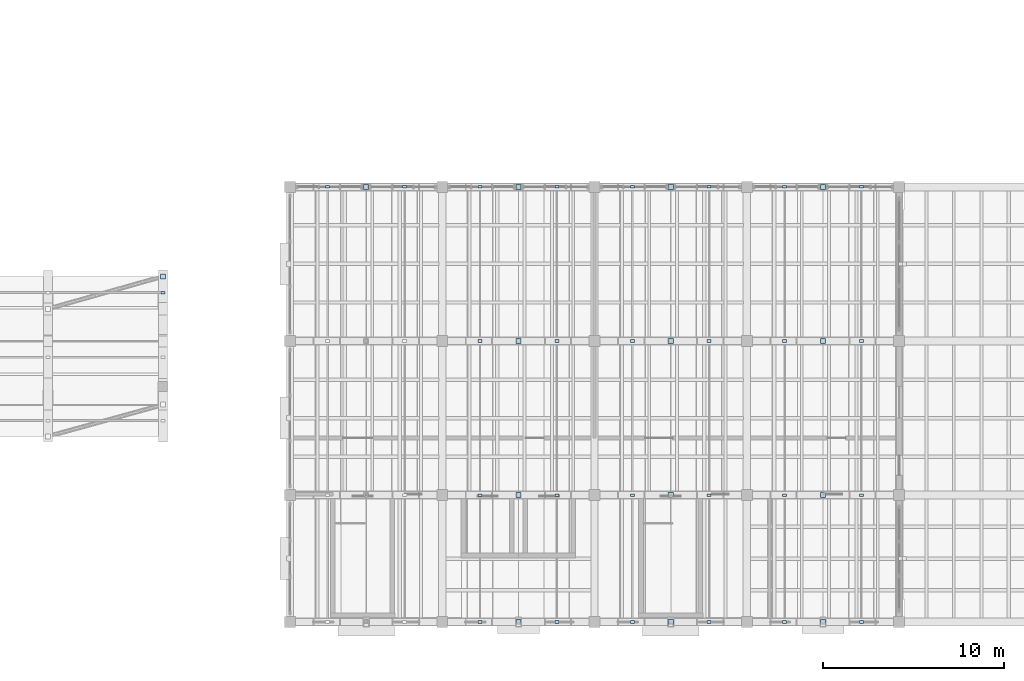
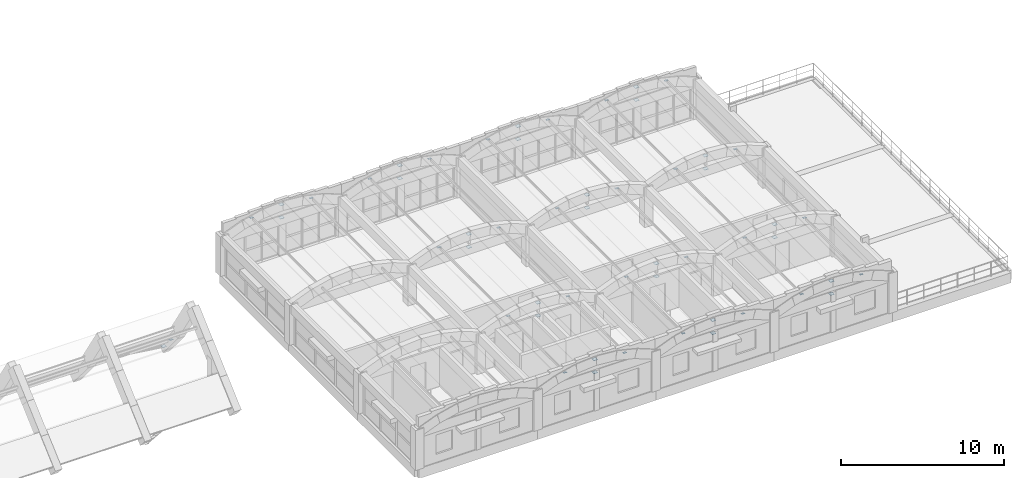
# One storey, part 26 of 40: 54 plates.
"""IFC4 building model written with IfcOpenShell, lengths in metres."""

import ifcopenshell
import ifcopenshell.guid

model = None  # the IFC model being written
_history = None  # IfcOwnerHistory: only IFC2X3 demands one
_inside = {}  # id of a spatial element -> (the spatial element, [elements in it])
_under = {}  # id of a project, library or spatial element -> (it, [spatial elements below it])
_declared = {}  # id of a project -> (the project, [libraries it declares])
_typed = {}  # id of a type object -> (the type object, [elements of that type])
_made_of = {}  # id of a material, layer set ... -> (it, [elements and type objects made of it])


def new_model(schema):
    """Start an empty IFC model of exactly this schema.

    Asked for "IFC4X3", IfcOpenShell would pick the latest addendum, in which some entities
    have other attributes; the version numbers below select the first issue.
    IFC2X3 requires an IfcOwnerHistory on every rooted entity: one is made here for all.
    """
    global model, _history
    if schema == "IFC4X3":
        model = ifcopenshell.file(schema_version=(4, 3, 0, 0))
    else:
        model = ifcopenshell.file(schema=schema)
    _inside.clear()
    _under.clear()
    _declared.clear()
    _typed.clear()
    _made_of.clear()
    _history = None
    if model.schema == "IFC2X3":
        org = make("IfcOrganization", Name="unknown")
        user = make(
            "IfcPersonAndOrganization",
            ThePerson=make("IfcPerson", FamilyName="unknown"),
            TheOrganization=org,
        )
        app = make(
            "IfcApplication",
            ApplicationDeveloper=org,
            Version="unknown",
            ApplicationFullName="unknown",
            ApplicationIdentifier="unknown",
        )
        _history = make(
            "IfcOwnerHistory",
            OwningUser=user,
            OwningApplication=app,
            ChangeAction="ADDED",
            CreationDate=0,
        )
    return model


def make(cls, **values):
    """One entity of the class cls with the attributes given. An attribute that is None is left unset."""
    return model.create_entity(
        cls, **{name: value for name, value in values.items() if value is not None}
    )


def rooted(cls, **values):
    """An entity with a GlobalId (a new one), such as an element, a storey or a relation."""
    return make(cls, GlobalId=ifcopenshell.guid.new(), OwnerHistory=_history, **values)


def si_unit(unit_type, name, prefix=None):
    """IfcSIUnit, for example si_unit("LENGTHUNIT", "METRE", prefix="MILLI")."""
    return make("IfcSIUnit", UnitType=unit_type, Prefix=prefix, Name=name)


def assignment(units):
    """IfcUnitAssignment: the units of a project."""
    return None if units is None else make("IfcUnitAssignment", Units=units)


def point(xyz):
    """IfcCartesianPoint."""
    return None if xyz is None else make("IfcCartesianPoint", Coordinates=xyz)


def direction(xyz):
    """IfcDirection."""
    return None if xyz is None else make("IfcDirection", DirectionRatios=xyz)


def frame(location, z_axis=None, x_axis=None):
    """IfcAxis2Placement3D, a coordinate frame: its origin and axes. An axis left out is left unset."""
    return make(
        "IfcAxis2Placement3D",
        Location=point(location),
        Axis=direction(z_axis),
        RefDirection=direction(x_axis),
    )


def frame_2d(location, x_axis=None):
    """IfcAxis2Placement2D, a coordinate frame in the plane: its origin and x axis."""
    return make(
        "IfcAxis2Placement2D", Location=point(location), RefDirection=direction(x_axis)
    )


def origin():
    """The frame at (0, 0, 0) with its axes left unset."""
    return frame((0.0, 0.0, 0.0))


def origin_2d():
    """The frame at (0, 0) in the plane with its x axis left unset."""
    return frame_2d((0.0, 0.0))


def place(relative_to, where):
    """IfcLocalPlacement: puts the frame where relative to a parent placement (None: the world)."""
    return make(
        "IfcLocalPlacement", PlacementRelTo=relative_to, RelativePlacement=where
    )


def context(
    kind, dimensions, precision=None, world=None, true_north=None, identifier=None
):
    """IfcGeometricRepresentationContext, for example the 3D "Model" context."""
    return make(
        "IfcGeometricRepresentationContext",
        ContextIdentifier=identifier,
        ContextType=kind,
        CoordinateSpaceDimension=dimensions,
        Precision=precision,
        WorldCoordinateSystem=world,
        TrueNorth=true_north,
    )


def subcontext(parent, identifier, kind, view, scale=None):
    """IfcGeometricRepresentationSubContext, for example "Body" below "Model"."""
    return make(
        "IfcGeometricRepresentationSubContext",
        ContextIdentifier=identifier,
        ContextType=kind,
        ParentContext=parent,
        TargetScale=scale,
        TargetView=view,
    )


def project(units=None, contexts=None):
    """IfcProject with its units and contexts."""
    return rooted(
        "IfcProject",
        Name="project",
        RepresentationContexts=contexts,
        UnitsInContext=assignment(units),
    )


def spatial(cls, under=None, at=None, **own):
    """A site, building, storey or space (cls), placed at a placement, below another one or the project."""
    s = rooted(cls, ObjectPlacement=at, **own)
    if under is not None:
        _under.setdefault(under.id(), (under, []))[1].append(s)
    return s


def profile(cls, at=None, kind="AREA", **sizes):
    """A parametric profile (cls). Its sizes go by their IFC names, for example OverallWidth=200.0."""
    return make(cls, ProfileType=kind, Position=at, **sizes)


def rectangle(**sizes):
    """IfcRectangleProfileDef."""
    return profile("IfcRectangleProfileDef", **sizes)


def extrude(swept, where, along, depth):
    """IfcExtrudedAreaSolid: the profile swept, set in the frame where, extruded along a direction by depth."""
    return make(
        "IfcExtrudedAreaSolid",
        SweptArea=swept,
        Position=where,
        ExtrudedDirection=direction(along),
        Depth=depth,
    )


def shape(context_of_items, identifier, shape_type, items):
    """IfcShapeRepresentation: the items that make up one representation, for example the "Body"."""
    return make(
        "IfcShapeRepresentation",
        ContextOfItems=context_of_items,
        RepresentationIdentifier=identifier,
        RepresentationType=shape_type,
        Items=items,
    )


def material(Name=None, Category=None):
    """IfcMaterial."""
    return make("IfcMaterial", Name=Name, Category=Category)


def layer(
    of_material, thickness, ventilated=None, Name=None, Category=None, Priority=None
):
    """IfcMaterialLayer: one layer of a wall or slab, of a material (None: an air gap)."""
    return make(
        "IfcMaterialLayer",
        Material=of_material,
        LayerThickness=thickness,
        IsVentilated=ventilated,
        Name=Name,
        Category=Category,
        Priority=Priority,
    )


def layer_set(layers, Name=None):
    """IfcMaterialLayerSet."""
    return make("IfcMaterialLayerSet", MaterialLayers=layers, LayerSetName=Name)


def made_of(thing, what):
    """Note that an element or type object is made of a material, layer set ...; save() writes the relation."""
    if what is not None:
        _made_of.setdefault(what.id(), (what, []))[1].append(thing)
    return thing


def type_object(cls, material=None, **own):
    """A type object (cls), such as IfcWallType, which elements share."""
    return made_of(rooted(cls, **own), material)


def element(
    cls,
    number,
    at=None,
    inside=None,
    cuts=None,
    type_object=None,
    material=None,
    context=None,
    identifier="Body",
    shape_type=None,
    held_by="IfcProductDefinitionShape",
    body=None,
    shapes=None,
    **own,
):
    """One element of the class cls, such as IfcWall. Its Tag is "e" and its number.

    at: its placement. inside: the storey or other place that contains it. cuts: it is an
    opening in that element (IfcRelVoidsElement). A single representation is given by context,
    identifier, shape_type and body (its items); several are given by shapes. held_by: the class
    of the entity that holds the representations. save() writes the other relations.
    """
    e = rooted(cls, Tag="e%d" % number, ObjectPlacement=at, **own)
    if body is not None:
        shapes = [shape(context, identifier, shape_type, body)]
    if shapes is not None:
        e.Representation = make(held_by, Representations=shapes)
    if inside is not None:
        _inside.setdefault(inside.id(), (inside, []))[1].append(e)
    if cuts is not None:
        rooted(
            "IfcRelVoidsElement", RelatingBuildingElement=cuts, RelatedOpeningElement=e
        )
    if type_object is not None:
        _typed.setdefault(type_object.id(), (type_object, []))[1].append(e)
    return made_of(e, material)


def aggregate(whole, parts):
    """IfcRelAggregates: a whole, such as a stair, and the parts it consists of."""
    return rooted("IfcRelAggregates", RelatingObject=whole, RelatedObjects=parts)


def save(model, path):
    """Write the relations noted so far, then the file.

    IfcRelAggregates (storeys below a building ...), IfcRelContainedInSpatialStructure (elements
    in a storey), IfcRelDefinesByType, IfcRelAssociatesMaterial and IfcRelDeclares: one each for
    every whole, place, type object, material and project.
    """
    for whole, parts in _under.values():
        aggregate(whole, parts)
    for where, things in _inside.values():
        rooted(
            "IfcRelContainedInSpatialStructure",
            RelatedElements=things,
            RelatingStructure=where,
        )
    for kind, things in _typed.values():
        rooted("IfcRelDefinesByType", RelatedObjects=things, RelatingType=kind)
    for what, things in _made_of.values():
        rooted("IfcRelAssociatesMaterial", RelatedObjects=things, RelatingMaterial=what)
    for by, libraries in _declared.values():
        rooted("IfcRelDeclares", RelatingContext=by, RelatedDefinitions=libraries)
    model.write(path)


model = new_model("IFC4")

# Units and contexts
model_context = context("Model", 3, precision=1e-05, world=origin(), true_north=direction((0.0, 1.0)))
body_context = subcontext(model_context, "Body", "Model", "MODEL_VIEW")
ifc_project = project(units=[si_unit("LENGTHUNIT", "METRE"), si_unit("AREAUNIT", "SQUARE_METRE"), si_unit("VOLUMEUNIT", "CUBIC_METRE"), si_unit("PLANEANGLEUNIT", "RADIAN"), si_unit("MASSUNIT", "GRAM", prefix="KILO")], contexts=[model_context])

# Site, building, storey
site_placement = place(None, origin())
site = spatial("IfcSite", under=ifc_project, at=site_placement, CompositionType="ELEMENT")
building_placement = place(site_placement, origin())
building = spatial("IfcBuilding", under=site, at=building_placement, Name="Trellovar Central Fire Station", CompositionType="ELEMENT")
storey_placement = place(building_placement, frame((0.0, 0.0, 12.75)))
storey = spatial("IfcBuildingStorey", under=building, at=storey_placement, Name="L04", CompositionType="ELEMENT", Elevation=12.75)

# Plates
ifc_material_1 = material(Name="Steel ASTM A36", Category="steel")
ifc_layer_1 = layer(ifc_material_1, 0.02001953125)
ifc_layer_set_1 = layer_set([ifc_layer_1], Name="Steel ASTM A36")
plate_type_1 = type_object("IfcPlateType", Name="PLT-EP2", PredefinedType="SHEET", material=ifc_layer_set_1)
for number, where, z_axis, x_axis, name in (
    (1, (109.699951171875, 33.0, 2.68994140625), (0.0, 0.0, 1.0), (1.0, 0.0, 0.0), "HSS end-cap plate 37"),
    (2, (109.699951171875, 33.0, 3.669921875), (0.0, 0.0, 1.0), (1.0, 0.0, 0.0), "HSS end-cap plate 38"),
    (3, (118.10009765625, 9.0, 2.68994140625), (0.0, 0.0, 1.0), (1.0, 0.0, 0.0), "HSS end-cap plate 47"),
    (4, (118.10009765625, 9.0, 3.669921875), (0.0, 0.0, 1.0), (1.0, 0.0, 0.0), "HSS end-cap plate 48"),
    (5, (118.10009765625, 16.0, 2.68994140625), (0.0, 0.0, 1.0), (1.0, 0.0, 0.0), "HSS end-cap plate 49"),
    (6, (118.10009765625, 16.0, 3.669921875), (0.0, 0.0, 1.0), (1.0, 0.0, 0.0), "HSS end-cap plate 50"),
    (7, (118.10009765625, 24.5, 2.68994140625), (0.0, 0.0, 1.0), (1.0, 0.0, 0.0), "HSS end-cap plate 51"),
    (8, (118.10009765625, 24.5, 3.669921875), (0.0, 0.0, 1.0), (1.0, 0.0, 0.0), "HSS end-cap plate 52"),
    (9, (118.10009765625, 33.0, 2.68994140625), (0.0, 0.0, 1.0), (1.0, 0.0, 0.0), "HSS end-cap plate 53"),
    (10, (118.10009765625, 33.0, 3.669921875), (0.0, 0.0, 1.0), (1.0, 0.0, 0.0), "HSS end-cap plate 54"),
    (11, (126.5, 9.0, 2.68994140625), (0.0, 0.0, 1.0), (1.0, 0.0, 0.0), "HSS end-cap plate 63"),
    (12, (126.5, 9.0, 3.669921875), (0.0, 0.0, 1.0), (1.0, 0.0, 0.0), "HSS end-cap plate 64"),
    (13, (126.5, 16.0, 2.68994140625), (0.0, 0.0, 1.0), (1.0, 0.0, 0.0), "HSS end-cap plate 65"),
    (14, (126.5, 16.0, 3.669921875), (0.0, 0.0, 1.0), (1.0, 0.0, 0.0), "HSS end-cap plate 66"),
    (15, (126.5, 24.5, 2.68994140625), (0.0, 0.0, 1.0), (1.0, 0.0, 0.0), "HSS end-cap plate 67"),
    (16, (126.5, 24.5, 3.669921875), (0.0, 0.0, 1.0), (1.0, 0.0, 0.0), "HSS end-cap plate 68"),
    (17, (126.5, 33.0, 2.68994140625), (0.0, 0.0, 1.0), (1.0, 0.0, 0.0), "HSS end-cap plate 69"),
    (18, (126.5, 33.0, 3.669921875), (0.0, 0.0, 1.0), (1.0, 0.0, 0.0), "HSS end-cap plate 70"),
    (19, (134.89990234375, 9.0, 2.68994140625), (0.0, 0.0, 1.0), (1.0, 0.0, 0.0), "HSS end-cap plate 79"),
    (20, (134.89990234375, 9.0, 3.669921875), (0.0, 0.0, 1.0), (1.0, 0.0, 0.0), "HSS end-cap plate 80"),
    (21, (134.89990234375, 16.0, 2.68994140625), (0.0, 0.0, 1.0), (1.0, 0.0, 0.0), "HSS end-cap plate 81"),
    (22, (134.89990234375, 16.0, 3.669921875), (0.0, 0.0, 1.0), (1.0, 0.0, 0.0), "HSS end-cap plate 82"),
    (23, (134.89990234375, 24.5, 2.68994140625), (0.0, 0.0, 1.0), (1.0, 0.0, 0.0), "HSS end-cap plate 83"),
    (24, (134.89990234375, 24.5, 3.669921875), (0.0, 0.0, 1.0), (1.0, 0.0, 0.0), "HSS end-cap plate 84"),
    (25, (134.89990234375, 33.0, 2.68994140625), (0.0, 0.0, 1.0), (1.0, 0.0, 0.0), "HSS end-cap plate 85"),
    (26, (134.89990234375, 33.0, 3.669921875), (0.0, 0.0, 1.0), (1.0, 0.0, 0.0), "HSS end-cap plate 86"),
    (27, (98.5, 28.066650390625, -0.052734375), (0.0, 0.0, 1.0), (1.0, 0.0, 0.0), "HSS end-cap plate 299"),
):
    element("IfcPlate", number, at=place(storey_placement, frame(where, z_axis=z_axis, x_axis=x_axis)), inside=storey, type_object=plate_type_1, Name=name, PredefinedType="SHEET", context=body_context, shape_type="SweptSolid", body=[
        extrude(rectangle(XDim=0.280029296875, YDim=0.280029296875, at=origin_2d()), origin(), (0.0, 0.0, 1.0), 0.02001953125),
    ])
ifc_material_2 = material(Name="Steel ASTM A36", Category="steel")
ifc_layer_2 = layer(ifc_material_2, 0.01611328125)
ifc_layer_set_2 = layer_set([ifc_layer_2], Name="Steel ASTM A36")
plate_type_2 = type_object("IfcPlateType", Name="PLT-EP4", PredefinedType="SHEET", material=ifc_layer_set_2)
for number, where, z_axis, x_axis, name in (
    (28, (107.580322265625, 33.0, 3.429443359375), (0.0, 0.0, 1.0), (1.0, 0.0, 0.0), "HSS end-cap plate 42"),
    (29, (111.819580078125, 33.0, 3.429443359375), (0.0, 0.0, 1.0), (1.0, 0.0, 0.0), "HSS end-cap plate 46"),
    (30, (115.980224609375, 9.0, 3.429443359375), (0.0, 0.0, 1.0), (1.0, 0.0, 0.0), "HSS end-cap plate 55"),
    (31, (115.980224609375, 16.0, 3.429443359375), (0.0, 0.0, 1.0), (1.0, 0.0, 0.0), "HSS end-cap plate 56"),
    (32, (115.980224609375, 24.5, 3.429443359375), (0.0, 0.0, 1.0), (1.0, 0.0, 0.0), "HSS end-cap plate 57"),
    (33, (115.980224609375, 33.0, 3.429443359375), (0.0, 0.0, 1.0), (1.0, 0.0, 0.0), "HSS end-cap plate 58"),
    (34, (120.2197265625, 9.0, 3.429443359375), (0.0, 0.0, 1.0), (1.0, 0.0, 0.0), "HSS end-cap plate 59"),
    (35, (120.2197265625, 16.0, 3.429443359375), (0.0, 0.0, 1.0), (1.0, 0.0, 0.0), "HSS end-cap plate 60"),
    (36, (120.2197265625, 24.5, 3.429443359375), (0.0, 0.0, 1.0), (1.0, 0.0, 0.0), "HSS end-cap plate 61"),
    (37, (120.2197265625, 33.0, 3.429443359375), (0.0, 0.0, 1.0), (1.0, 0.0, 0.0), "HSS end-cap plate 62"),
    (38, (124.38037109375, 9.0, 3.429443359375), (0.0, 0.0, 1.0), (1.0, 0.0, 0.0), "HSS end-cap plate 71"),
    (39, (124.38037109375, 16.0, 3.429443359375), (0.0, 0.0, 1.0), (1.0, 0.0, 0.0), "HSS end-cap plate 72"),
    (40, (124.38037109375, 24.5, 3.429443359375), (0.0, 0.0, 1.0), (1.0, 0.0, 0.0), "HSS end-cap plate 73"),
    (41, (124.38037109375, 33.0, 3.429443359375), (0.0, 0.0, 1.0), (1.0, 0.0, 0.0), "HSS end-cap plate 74"),
    (42, (128.61962890625, 9.0, 3.429443359375), (0.0, 0.0, 1.0), (1.0, 0.0, 0.0), "HSS end-cap plate 75"),
    (43, (128.61962890625, 16.0, 3.429443359375), (0.0, 0.0, 1.0), (1.0, 0.0, 0.0), "HSS end-cap plate 76"),
    (44, (128.61962890625, 24.5, 3.429443359375), (0.0, 0.0, 1.0), (1.0, 0.0, 0.0), "HSS end-cap plate 77"),
    (45, (128.61962890625, 33.0, 3.429443359375), (0.0, 0.0, 1.0), (1.0, 0.0, 0.0), "HSS end-cap plate 78"),
    (46, (132.7802734375, 9.0, 3.429443359375), (0.0, 0.0, 1.0), (1.0, 0.0, 0.0), "HSS end-cap plate 87"),
    (47, (132.7802734375, 16.0, 3.429443359375), (0.0, 0.0, 1.0), (1.0, 0.0, 0.0), "HSS end-cap plate 88"),
    (48, (132.7802734375, 24.5, 3.429443359375), (0.0, 0.0, 1.0), (1.0, 0.0, 0.0), "HSS end-cap plate 89"),
    (49, (132.7802734375, 33.0, 3.429443359375), (0.0, 0.0, 1.0), (1.0, 0.0, 0.0), "HSS end-cap plate 90"),
    (50, (137.019775390625, 9.0, 3.429443359375), (0.0, 0.0, 1.0), (1.0, 0.0, 0.0), "HSS end-cap plate 91"),
    (51, (137.019775390625, 16.0, 3.429443359375), (0.0, 0.0, 1.0), (1.0, 0.0, 0.0), "HSS end-cap plate 92"),
    (52, (137.019775390625, 24.5, 3.429443359375), (0.0, 0.0, 1.0), (1.0, 0.0, 0.0), "HSS end-cap plate 93"),
    (53, (137.019775390625, 33.0, 3.429443359375), (0.0, 0.0, 1.0), (1.0, 0.0, 0.0), "HSS end-cap plate 94"),
    (54, (98.5, 27.169921875, 0.99072265625), (0.0, 0.0, 1.0), (1.0, 0.0, 0.0), "HSS end-cap plate 297"),
):
    element("IfcPlate", number, at=place(storey_placement, frame(where, z_axis=z_axis, x_axis=x_axis)), inside=storey, type_object=plate_type_2, Name=name, PredefinedType="SHEET", context=body_context, shape_type="SweptSolid", body=[
        extrude(rectangle(XDim=0.219970703125, YDim=0.139892578125, at=origin_2d()), origin(), (0.0, 0.0, 1.0), 0.01611328125),
    ])

save(model, "model.ifc")
